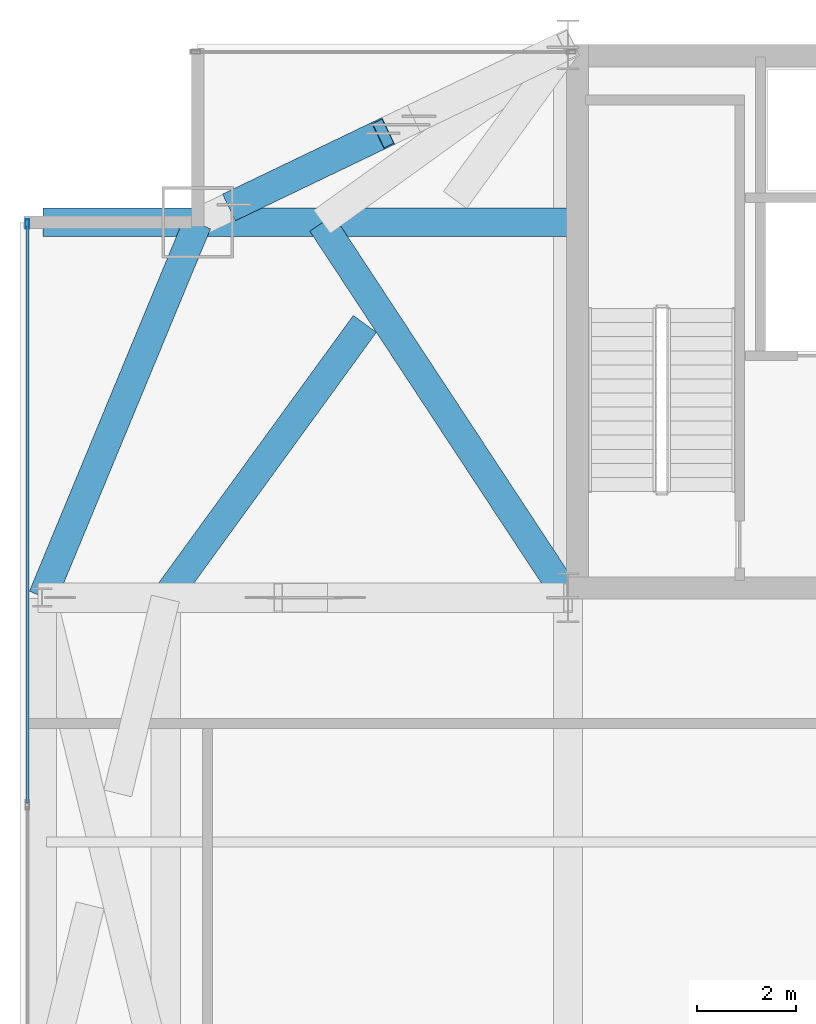
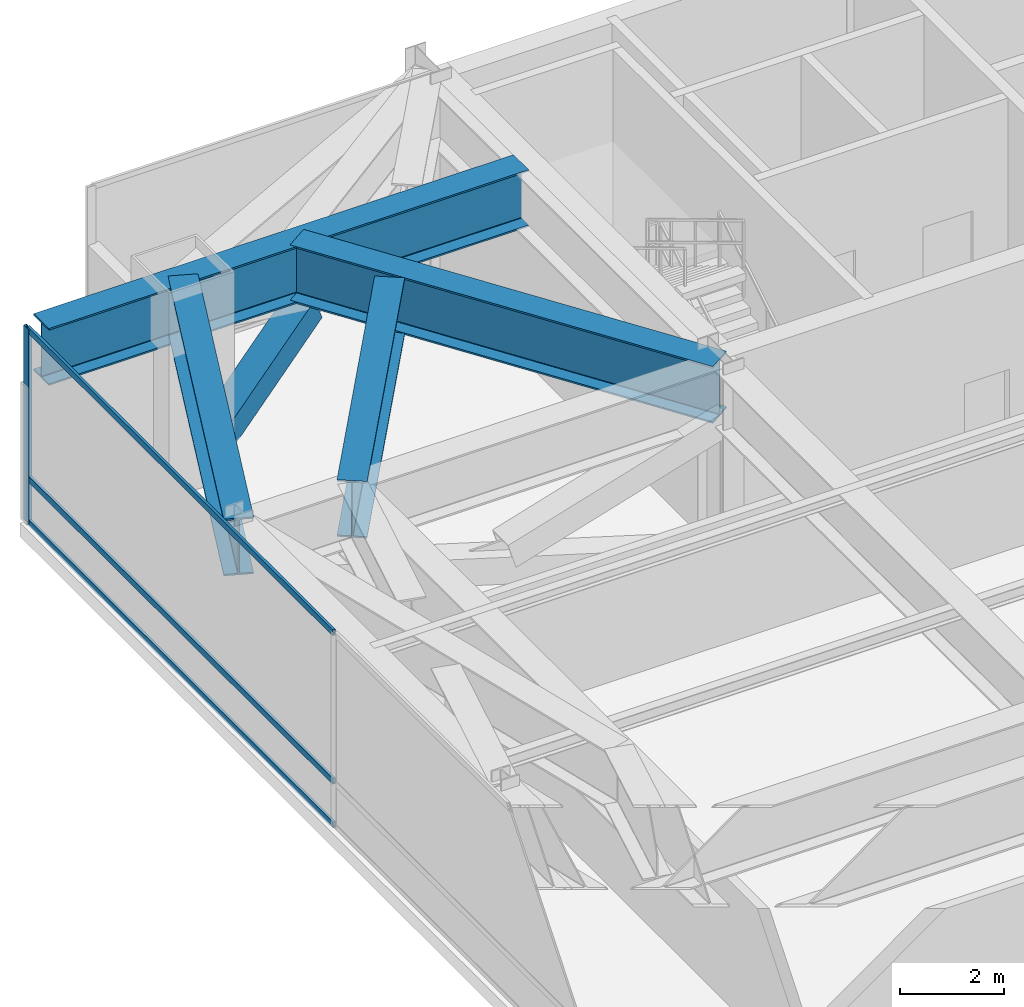
# One storey, part 21 of 32: 5 members, 4 beams, 1 element without a shape of its own.
"""IFC4 building model written with IfcOpenShell, lengths in metres."""

from ifc_helpers import new_model, si_unit, direction, frame, origin, origin_2d, place, context, subcontext, project, spatial, hollow_rectangle, i_section, extrude, source, transform, mapped, material, layer, layer_set, material_profile, profile_set, type_object, type_shapes, element, aggregate, save


model = new_model("IFC4")

# Units and contexts
model_context = context("Model", 3, precision=1e-05, world=origin(), true_north=direction((0.0, 1.0)))
body_context = subcontext(model_context, "Body", "Model", "MODEL_VIEW")
ifc_project = project(units=[si_unit("LENGTHUNIT", "METRE"), si_unit("AREAUNIT", "SQUARE_METRE"), si_unit("VOLUMEUNIT", "CUBIC_METRE"), si_unit("PLANEANGLEUNIT", "RADIAN"), si_unit("MASSUNIT", "GRAM", prefix="KILO")], contexts=[model_context])

# Site, building, storey
site_placement = place(None, origin())
site = spatial("IfcSite", under=ifc_project, at=site_placement, CompositionType="ELEMENT")
building_placement = place(site_placement, origin())
building = spatial("IfcBuilding", under=site, at=building_placement, Name="Varnel Quay Broadcast Tower", CompositionType="ELEMENT")
storey_placement = place(building_placement, frame((0.0, 0.0, 141.0)))
storey = spatial("IfcBuildingStorey", under=building, at=storey_placement, Name="L34", CompositionType="ELEMENT", Elevation=141.0)

# Beams
ifc_material_1 = material(Name="Structural Steel CSA G40.21 350WT", Category="steel")
ifc_material_profile_1 = material_profile(ifc_material_1, i_section(OverallWidth=0.580078125, OverallDepth=1.330078125, WebThickness=0.02197265625, FlangeThickness=0.0380859375, FilletRadius=0.02001953125, at=origin_2d()), Name="WWF1330X535")
ifc_profile_set_1 = profile_set([ifc_material_profile_1], Name="Structural Steel CSA G40.21 350WT")
beam_type = type_object("IfcBeamType", Name="Girder_WWF1330X535", PredefinedType="BEAM", material=ifc_profile_set_1)
shared_shape_1 = source(origin(), body_context, "Body", "SweptSolid", [
    extrude(i_section(OverallWidth=0.580078125, OverallDepth=1.330078125, WebThickness=0.02197265625, FlangeThickness=0.0380859375, FilletRadius=0.02001953125, at=origin_2d()), origin(), (0.0, 0.0, 1.0), 8.186767578125),
])
beam_1_placement = place(storey_placement, frame((4.957763671875, 35.618408203125, 3.885009765625), z_axis=(0.382874132092, 0.923800519038, 0.0), x_axis=(-0.923800519038, 0.382874132092, 0.0)))
element("IfcBeam", 1, at=beam_1_placement, inside=storey, type_object=beam_type, Name="L34 West Transfer Spine TC-W3-MC-NW", PredefinedType="BEAM", context=body_context, shape_type="MappedRepresentation", body=[
    mapped(shared_shape_1, transform((0.0, 0.0, 0.0), x_axis=(1.0, 0.0, 0.0), y_axis=(0.0, 1.0, 0.0), z_axis=(0.0, 0.0, 1.0), scale=1.0)),
])
shared_shape_2 = source(origin(), body_context, "Body", "SweptSolid", [
    extrude(i_section(OverallWidth=0.580078125, OverallDepth=1.330078125, WebThickness=0.02197265625, FlangeThickness=0.0380859375, FilletRadius=0.02001953125, at=origin_2d()), origin(), (0.0, 0.0, 1.0), 10.610107421875),
])
beam_2_placement = place(storey_placement, frame((4.969970703125, 43.199951171875, 3.885009765625), z_axis=(1.0, 0.0, 0.0), x_axis=(0.0, 1.0, 0.0)))
element("IfcBeam", 2, at=beam_2_placement, inside=storey, type_object=beam_type, Name="L34 Setback NW Mega-Column Transfer", PredefinedType="BEAM", context=body_context, shape_type="MappedRepresentation", body=[
    mapped(shared_shape_2, transform((0.0, 0.0, 0.0), x_axis=(1.0, 0.0, 0.0), y_axis=(0.0, 1.0, 0.0), z_axis=(0.0, 0.0, 1.0), scale=1.0)),
])
shared_shape_3 = source(origin(), body_context, "Body", "SweptSolid", [
    extrude(i_section(OverallWidth=0.580078125, OverallDepth=1.330078125, WebThickness=0.02197265625, FlangeThickness=0.0380859375, FilletRadius=0.02001953125, at=origin_2d()), origin(), (0.0, 0.0, 1.0), 9.057373046875),
])
beam_3_placement = place(storey_placement, frame((15.589111328125, 35.61669921875, 3.885009765625), z_axis=(-0.549614026141, 0.835418710749, 0.0), x_axis=(-0.835418710749, -0.549614026141, 0.0)))
element("IfcBeam", 3, at=beam_3_placement, inside=storey, type_object=beam_type, Name="L34 X-Braced Transfer Tie MC-NW-CC-S1", PredefinedType="BEAM", context=body_context, shape_type="MappedRepresentation", body=[
    mapped(shared_shape_3, transform((0.0, 0.0, 0.0), x_axis=(1.0, 0.0, 0.0), y_axis=(0.0, 1.0, 0.0), z_axis=(0.0, 0.0, 1.0), scale=1.0)),
])
shared_shape_4 = source(origin(), body_context, "Body", "SweptSolid", [
    extrude(i_section(OverallWidth=0.580078125, OverallDepth=1.330078125, WebThickness=0.02197265625, FlangeThickness=0.0380859375, FilletRadius=0.02001953125, at=origin_2d()), origin(), (0.0, 0.0, 1.0), 6.837646484375),
])
type_shapes(beam_type, [shared_shape_1, shared_shape_2, shared_shape_3, shared_shape_4])
beam_4_placement = place(storey_placement, frame((11.485107421875, 41.14501953125, 3.885009765625), z_axis=(-0.588386101243, -0.808580110975, 0.0), x_axis=(0.808580110975, -0.588386101243, 0.0)))
element("IfcBeam", 4, at=beam_4_placement, inside=storey, type_object=beam_type, Name="L34 X-Braced Transfer Tie TC-W3-CC-N1 Part 2", PredefinedType="BEAM", context=body_context, shape_type="MappedRepresentation", body=[
    mapped(shared_shape_4, transform((0.0, 0.0, 0.0), x_axis=(1.0, 0.0, 0.0), y_axis=(0.0, 1.0, 0.0), z_axis=(0.0, 0.0, 1.0), scale=1.0)),
])

# Member
ifc_material_profile_2 = material_profile(ifc_material_1, hollow_rectangle(XDim=0.60009765625, YDim=0.60009765625, WallThickness=0.028076171875, at=origin_2d()), Name="BOX600X600X28")
ifc_profile_set_2 = profile_set([ifc_material_profile_2], Name="Structural Steel CSA G40.21 350WT")
member_type_1 = type_object("IfcMemberType", Name="Outrigger_BOX600X600X28", PredefinedType="BRACE", material=ifc_profile_set_2)
shared_shape_5 = source(origin(), body_context, "Body", "SweptSolid", [
    extrude(hollow_rectangle(XDim=0.60009765625, YDim=0.60009765625, WallThickness=0.028076171875, at=origin_2d()), origin(), (0.0, 0.0, 1.0), 3.642333984375),
])
type_shapes(member_type_1, [shared_shape_5])
member_1_placement = place(storey_placement, frame((8.83837890625, 43.554443359375, 0.02001953125), z_axis=(0.828425025258, 0.397622562491, 0.394472147718), x_axis=(-0.432712095994, 0.901532163586, 0.0)))
element("IfcMember", 5, at=member_1_placement, inside=storey, type_object=member_type_1, Name="L34 Outrigger NW Split Diag B1", PredefinedType="BRACE", context=body_context, shape_type="MappedRepresentation", body=[
    mapped(shared_shape_5, transform((0.0, 0.0, 0.0), x_axis=(1.0, 0.0, 0.0), y_axis=(0.0, 1.0, 0.0), z_axis=(0.0, 0.0, 1.0), scale=1.0)),
])

# Curtain wall, members
ifc_material_2 = material(Name="Anodised Bronze Aluminium 6063-T6", Category="aluminium")
ifc_layer = layer(ifc_material_2, 0.18994140625, Name="Anodised Bronze Aluminium 6063-T6")
ifc_layer_set = layer_set([ifc_layer], Name="Anodised Bronze Aluminium 6063-T6")
curtain_wall_type = type_object("IfcCurtainWallType", Name="CW_LowerTower", PredefinedType="NOTDEFINED", material=ifc_layer_set)
curtain_wall_placement = place(storey_placement, origin())
curtain_wall = element("IfcCurtainWall", 6, at=curtain_wall_placement, inside=storey, type_object=curtain_wall_type, Name="L34 West Unitised Curtain Wall", PredefinedType="NOTDEFINED")
ifc_material_profile_3 = material_profile(ifc_material_2, hollow_rectangle(XDim=0.070068359375, YDim=0.18994140625, WallThickness=0.00390625, at=origin_2d()), Name="ALU70X190X4")
ifc_profile_set_3 = profile_set([ifc_material_profile_3], Name="Anodised Bronze Aluminium 6063-T6")
member_type_2 = type_object("IfcMemberType", Name="Mull_CWS-02", PredefinedType="MULLION", material=ifc_profile_set_3)
shared_shape_6 = source(origin(), body_context, "Body", "SweptSolid", [
    extrude(hollow_rectangle(XDim=0.070068359375, YDim=0.18994140625, WallThickness=0.00390625, at=origin_2d()), origin(), (0.0, 0.0, 1.0), 4.550048828125),
])
type_shapes(member_type_2, [shared_shape_6])
member_2_placement = place(storey_placement, frame((4.64990234375, 43.1650390625, 0.0), z_axis=(0.0, 0.0, 1.0), x_axis=(-1.0, 0.0, 0.0)))
member_2 = element("IfcMember", 7, at=member_2_placement, type_object=member_type_2, Name="CWS-02 mullion 4", PredefinedType="MULLION", context=body_context, shape_type="MappedRepresentation", body=[
    mapped(shared_shape_6, transform((0.0, 0.0, 0.0), x_axis=(1.0, 0.0, 0.0), y_axis=(0.0, 1.0, 0.0), z_axis=(0.0, 0.0, 1.0), scale=1.0)),
])
ifc_material_profile_4 = material_profile(ifc_material_2, hollow_rectangle(XDim=0.06005859375, YDim=0.14501953125, WallThickness=0.00341796875, at=origin_2d()), Name="ALU60X145X3.5")
ifc_profile_set_4 = profile_set([ifc_material_profile_4], Name="Anodised Bronze Aluminium 6063-T6")
member_type_3 = type_object("IfcMemberType", Name="Tran_CWS-02", PredefinedType="USERDEFINED", material=ifc_profile_set_4)
shared_shape_7 = source(origin(), body_context, "Body", "SweptSolid", [
    extrude(hollow_rectangle(XDim=0.06005859375, YDim=0.14501953125, WallThickness=0.00341796875, at=origin_2d()), origin(), (0.0, 0.0, 1.0), 11.69482421875),
])
type_shapes(member_type_3, [shared_shape_7])
member_3_placement = place(storey_placement, frame((4.64990234375, 31.43505859375, 0.030029296875), z_axis=(0.0, 1.0, 0.0), x_axis=(-1.0, 0.0, 0.0)))
member_3 = element("IfcMember", 8, at=member_3_placement, type_object=member_type_3, Name="CWS-02 transom 3.1", ObjectType="TRANSOM", PredefinedType="USERDEFINED", context=body_context, shape_type="MappedRepresentation", body=[
    mapped(shared_shape_7, transform((0.0, 0.0, 0.0), x_axis=(1.0, 0.0, 0.0), y_axis=(0.0, 1.0, 0.0), z_axis=(0.0, 0.0, 1.0), scale=1.0)),
])
member_4_placement = place(storey_placement, frame((4.64990234375, 31.43505859375, 1.050048828125), z_axis=(0.0, 1.0, 0.0), x_axis=(-1.0, 0.0, 0.0)))
member_4 = element("IfcMember", 9, at=member_4_placement, type_object=member_type_3, Name="CWS-02 transom 3.2", ObjectType="TRANSOM", PredefinedType="USERDEFINED", context=body_context, shape_type="MappedRepresentation", body=[
    mapped(shared_shape_7, transform((0.0, 0.0, 0.0), x_axis=(1.0, 0.0, 0.0), y_axis=(0.0, 1.0, 0.0), z_axis=(0.0, 0.0, 1.0), scale=1.0)),
])
member_5_placement = place(storey_placement, frame((4.64990234375, 31.43505859375, 4.52001953125), z_axis=(0.0, 1.0, 0.0), x_axis=(-1.0, 0.0, 0.0)))
member_5 = element("IfcMember", 10, at=member_5_placement, type_object=member_type_3, Name="CWS-02 transom 3.3", ObjectType="TRANSOM", PredefinedType="USERDEFINED", context=body_context, shape_type="MappedRepresentation", body=[
    mapped(shared_shape_7, transform((0.0, 0.0, 0.0), x_axis=(1.0, 0.0, 0.0), y_axis=(0.0, 1.0, 0.0), z_axis=(0.0, 0.0, 1.0), scale=1.0)),
])
aggregate(curtain_wall, [member_2, member_3, member_4, member_5])

save(model, "model.ifc")
